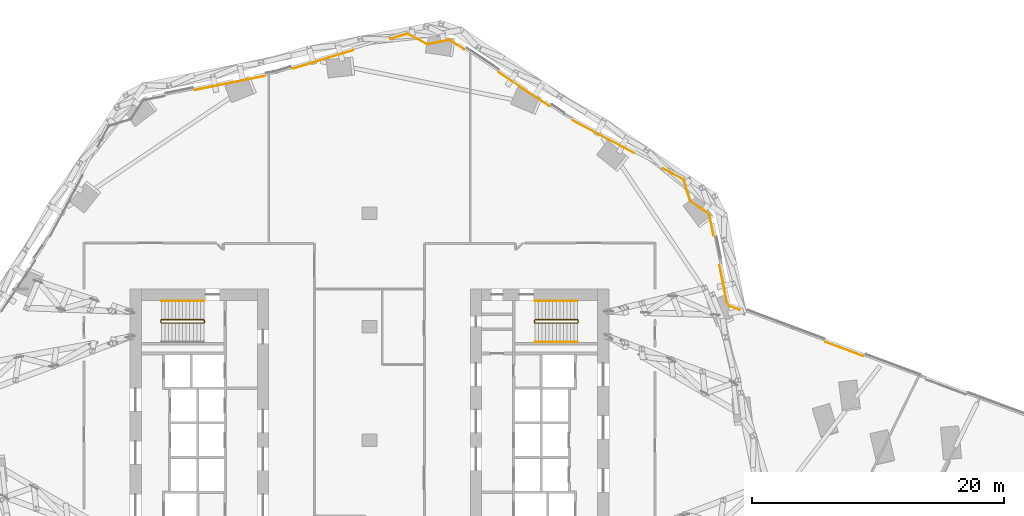
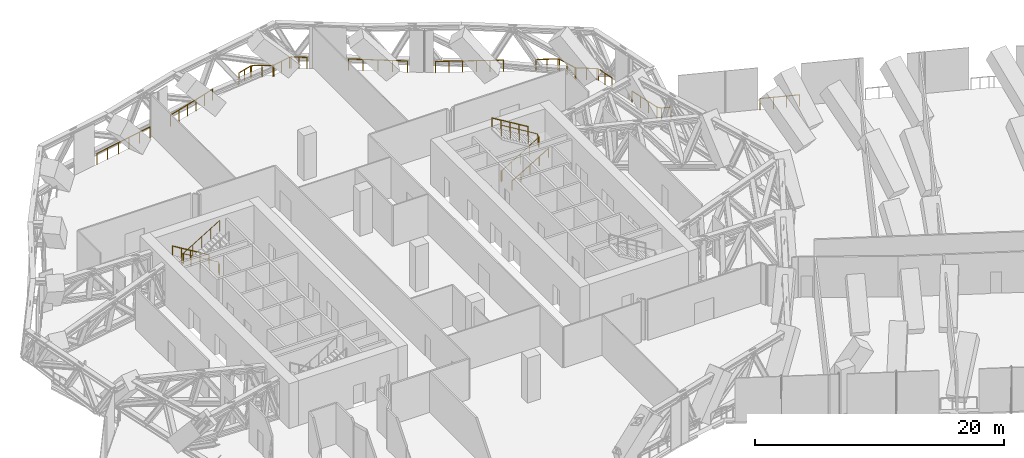
# One storey, part 34 of 34: 13 railings.
"""IFC4 building model written with IfcOpenShell, lengths in metres."""

from ifc_helpers import new_model, si_unit, direction, frame, origin, origin_2d, place, context, subcontext, project, spatial, circle, extrude, material, type_object, element, save


model = new_model("IFC4")

# Units and contexts
model_context = context("Model", 3, precision=1e-05, world=origin(), true_north=direction((0.0, 1.0)))
body_context = subcontext(model_context, "Body", "Model", "MODEL_VIEW")
ifc_project = project(units=[si_unit("LENGTHUNIT", "METRE"), si_unit("AREAUNIT", "SQUARE_METRE"), si_unit("VOLUMEUNIT", "CUBIC_METRE"), si_unit("PLANEANGLEUNIT", "RADIAN"), si_unit("MASSUNIT", "GRAM", prefix="KILO")], contexts=[model_context])

# Site, building, storey
site_placement = place(None, origin())
site = spatial("IfcSite", under=ifc_project, at=site_placement, CompositionType="ELEMENT")
building_placement = place(site_placement, origin())
building = spatial("IfcBuilding", under=site, at=building_placement, Name="Orlundy Tower", CompositionType="ELEMENT")
storey_placement = place(building_placement, frame((0.0, 0.0, 76.300048828125)))
storey = spatial("IfcBuildingStorey", under=building, at=storey_placement, Name="L18", CompositionType="ELEMENT", Elevation=76.300048828125)

# Railings
ifc_material_1 = material(Name="Steel balustrade", Category="steel")
railing_type_1 = type_object("IfcRailingType", Name="Stair Guard 1100", PredefinedType="GUARDRAIL", material=ifc_material_1)
railing_1_placement = place(storey_placement, frame((-13.090087890625, 9.5, 0.0)))
element("IfcRailing", 1, at=railing_1_placement, inside=storey, type_object=railing_type_1, Name="L18 ST-W1 stair guard 1", PredefinedType="GUARDRAIL", context=body_context, shape_type="SweptSolid", body=[
    extrude(circle(Radius=0.02392578125, at=origin_2d()), frame((0.0, 0.0, 1.076171875), z_axis=(0.0, -1.0, 0.0), x_axis=(1.0, 0.0, 0.0)), (0.0, 0.0, 1.0), 0.14990234375),
    extrude(circle(Radius=0.02392578125, at=origin_2d()), frame((0.0, -0.14990234375, 1.076171875), z_axis=(-0.186800498525, 0.749949060256, 0.634572281755), x_axis=(-0.970351222016, -0.241699205484, 0.0)), (0.0, 0.0, 1.0), 0.2666015625),
    extrude(circle(Radius=0.02392578125, at=origin_2d()), frame((-0.0498046875, 0.050048828125, 1.2451171875), z_axis=(-0.855836976705, 0.0, 0.517245656632), x_axis=(0.0, -1.0, 0.0)), (0.0, 0.0, 1.0), 3.926025390625),
    extrude(circle(Radius=0.02392578125, at=origin_2d()), frame((-3.409912109375, 0.050048828125, 3.27587890625), z_axis=(-0.707106781187, -0.707106781187, 0.0), x_axis=(0.707106781187, -0.707106781187, 0.0)), (0.0, 0.0, 1.0), 0.07080078125),
    extrude(circle(Radius=0.02392578125, at=origin_2d()), frame((-3.4599609375, 0.0, 3.27587890625), z_axis=(0.0, -1.0, 0.0), x_axis=(1.0, 0.0, 0.0)), (0.0, 0.0, 1.0), 0.14990234375),
    extrude(circle(Radius=0.02392578125, at=origin_2d()), frame((-3.4599609375, -0.14990234375, 3.27587890625), z_axis=(0.272897288611, -0.272897288611, 0.922525956132), x_axis=(0.707106781187, 0.707106781187, 0.0)), (0.0, 0.0, 1.0), 0.183349609375),
    extrude(circle(Radius=0.02392578125, at=origin_2d()), frame((-3.409912109375, -0.199951171875, 3.4453125), z_axis=(0.855836976705, 0.0, 0.517245656632), x_axis=(0.0, 1.0, 0.0)), (0.0, 0.0, 1.0), 3.926025390625),
    extrude(circle(Radius=0.02099609375, at=origin_2d()), origin(), (0.0, 0.0, 1.0), 1.052001953125),
    extrude(circle(Radius=0.02099609375, at=origin_2d()), frame((0.0, -0.14990234375, 0.0)), (0.0, 0.0, 1.0), 1.052001953125),
    extrude(circle(Radius=0.02099609375, at=origin_2d()), frame((-0.0498046875, 0.050048828125, 0.169189453125)), (0.0, 0.0, 1.0), 1.052001953125),
    extrude(circle(Radius=0.02099609375, at=origin_2d()), frame((-0.889892578125, 0.050048828125, 0.6767578125)), (0.0, 0.0, 1.0), 1.052001953125),
    extrude(circle(Radius=0.02099609375, at=origin_2d()), frame((-1.72998046875, 0.050048828125, 1.1845703125)), (0.0, 0.0, 1.0), 1.052001953125),
    extrude(circle(Radius=0.02099609375, at=origin_2d()), frame((-2.56982421875, 0.050048828125, 1.6923828125)), (0.0, 0.0, 1.0), 1.052001953125),
    extrude(circle(Radius=0.02099609375, at=origin_2d()), frame((-3.409912109375, 0.050048828125, 2.199951171875)), (0.0, 0.0, 1.0), 1.052001953125),
    extrude(circle(Radius=0.02099609375, at=origin_2d()), frame((-3.4599609375, 0.0, 2.199951171875)), (0.0, 0.0, 1.0), 1.052001953125),
    extrude(circle(Radius=0.02099609375, at=origin_2d()), frame((-3.4599609375, -0.14990234375, 2.199951171875)), (0.0, 0.0, 1.0), 1.052001953125),
    extrude(circle(Radius=0.02099609375, at=origin_2d()), frame((-3.409912109375, -0.199951171875, 2.369140625)), (0.0, 0.0, 1.0), 1.052001953125),
    extrude(circle(Radius=0.02099609375, at=origin_2d()), frame((-2.56982421875, -0.199951171875, 2.876953125)), (0.0, 0.0, 1.0), 1.052001953125),
    extrude(circle(Radius=0.02099609375, at=origin_2d()), frame((-1.72998046875, -0.199951171875, 3.384521484375)), (0.0, 0.0, 1.0), 1.052001953125),
    extrude(circle(Radius=0.02099609375, at=origin_2d()), frame((-0.889892578125, -0.199951171875, 3.89208984375)), (0.0, 0.0, 1.0), 1.052001953125),
    extrude(circle(Radius=0.02099609375, at=origin_2d()), frame((-0.0498046875, -0.199951171875, 4.39990234375)), (0.0, 0.0, 1.0), 1.052001953125),
])
railing_2_placement = place(storey_placement, frame((13.090087890625, 9.35009765625, 0.0)))
element("IfcRailing", 2, at=railing_2_placement, inside=storey, type_object=railing_type_1, Name="L18 ST-E2 stair guard 1", PredefinedType="GUARDRAIL", context=body_context, shape_type="SweptSolid", body=[
    extrude(circle(Radius=0.02392578125, at=origin_2d()), frame((0.0, 0.0, 1.076171875), z_axis=(0.0, 1.0, 0.0), x_axis=(-1.0, 0.0, 0.0)), (0.0, 0.0, 1.0), 0.14990234375),
    extrude(circle(Radius=0.02392578125, at=origin_2d()), frame((0.0, 0.14990234375, 1.076171875), z_axis=(0.186800498525, -0.749949060256, 0.634572281755), x_axis=(0.970351222016, 0.241699205484, 0.0)), (0.0, 0.0, 1.0), 0.2666015625),
    extrude(circle(Radius=0.02392578125, at=origin_2d()), frame((0.0498046875, -0.050048828125, 1.2451171875), z_axis=(0.855836976705, 0.0, 0.517245656632), x_axis=(0.0, 1.0, 0.0)), (0.0, 0.0, 1.0), 3.926025390625),
    extrude(circle(Radius=0.02392578125, at=origin_2d()), frame((3.409912109375, -0.050048828125, 3.27587890625), z_axis=(0.707106781187, 0.707106781187, 0.0), x_axis=(-0.707106781187, 0.707106781187, 0.0)), (0.0, 0.0, 1.0), 0.07080078125),
    extrude(circle(Radius=0.02392578125, at=origin_2d()), frame((3.4599609375, 0.0, 3.27587890625), z_axis=(0.0, 1.0, 0.0), x_axis=(-1.0, 0.0, 0.0)), (0.0, 0.0, 1.0), 0.14990234375),
    extrude(circle(Radius=0.02392578125, at=origin_2d()), frame((3.4599609375, 0.14990234375, 3.27587890625), z_axis=(-0.272897288611, 0.272897288611, 0.922525956132), x_axis=(-0.707106781187, -0.707106781187, 0.0)), (0.0, 0.0, 1.0), 0.183349609375),
    extrude(circle(Radius=0.02392578125, at=origin_2d()), frame((3.409912109375, 0.199951171875, 3.4453125), z_axis=(-0.855836976705, 0.0, 0.517245656632), x_axis=(0.0, -1.0, 0.0)), (0.0, 0.0, 1.0), 3.926025390625),
    extrude(circle(Radius=0.02099609375, at=origin_2d()), origin(), (0.0, 0.0, 1.0), 1.052001953125),
    extrude(circle(Radius=0.02099609375, at=origin_2d()), frame((0.0, 0.14990234375, 0.0)), (0.0, 0.0, 1.0), 1.052001953125),
    extrude(circle(Radius=0.02099609375, at=origin_2d()), frame((0.0498046875, -0.050048828125, 0.169189453125)), (0.0, 0.0, 1.0), 1.052001953125),
    extrude(circle(Radius=0.02099609375, at=origin_2d()), frame((0.889892578125, -0.050048828125, 0.6767578125)), (0.0, 0.0, 1.0), 1.052001953125),
    extrude(circle(Radius=0.02099609375, at=origin_2d()), frame((1.72998046875, -0.050048828125, 1.1845703125)), (0.0, 0.0, 1.0), 1.052001953125),
    extrude(circle(Radius=0.02099609375, at=origin_2d()), frame((2.56982421875, -0.050048828125, 1.6923828125)), (0.0, 0.0, 1.0), 1.052001953125),
    extrude(circle(Radius=0.02099609375, at=origin_2d()), frame((3.409912109375, -0.050048828125, 2.199951171875)), (0.0, 0.0, 1.0), 1.052001953125),
    extrude(circle(Radius=0.02099609375, at=origin_2d()), frame((3.4599609375, 0.0, 2.199951171875)), (0.0, 0.0, 1.0), 1.052001953125),
    extrude(circle(Radius=0.02099609375, at=origin_2d()), frame((3.4599609375, 0.14990234375, 2.199951171875)), (0.0, 0.0, 1.0), 1.052001953125),
    extrude(circle(Radius=0.02099609375, at=origin_2d()), frame((3.409912109375, 0.199951171875, 2.369140625)), (0.0, 0.0, 1.0), 1.052001953125),
    extrude(circle(Radius=0.02099609375, at=origin_2d()), frame((2.56982421875, 0.199951171875, 2.876953125)), (0.0, 0.0, 1.0), 1.052001953125),
    extrude(circle(Radius=0.02099609375, at=origin_2d()), frame((1.72998046875, 0.199951171875, 3.384521484375)), (0.0, 0.0, 1.0), 1.052001953125),
    extrude(circle(Radius=0.02099609375, at=origin_2d()), frame((0.889892578125, 0.199951171875, 3.89208984375)), (0.0, 0.0, 1.0), 1.052001953125),
    extrude(circle(Radius=0.02099609375, at=origin_2d()), frame((0.0498046875, 0.199951171875, 4.39990234375)), (0.0, 0.0, 1.0), 1.052001953125),
])
ifc_material_2 = material(Name="Steel handrail", Category="steel")
railing_type_2 = type_object("IfcRailingType", Name="Stair Handrail 900", PredefinedType="HANDRAIL", material=ifc_material_2)
railing_3_placement = place(storey_placement, frame((-13.139892578125, 11.050048828125, 0.169189453125)))
element("IfcRailing", 3, at=railing_3_placement, inside=storey, type_object=railing_type_2, Name="L18 ST-W1 stair handrail 1", PredefinedType="HANDRAIL", context=body_context, shape_type="SweptSolid", body=[
    extrude(circle(Radius=0.02392578125, at=origin_2d()), frame((0.0, 0.0, 0.8759765625), z_axis=(-0.855836976705, 0.0, 0.517245656632), x_axis=(0.0, -1.0, 0.0)), (0.0, 0.0, 1.0), 3.926025390625),
    extrude(circle(Radius=0.02099609375, at=origin_2d()), origin(), (0.0, 0.0, 1.0), 0.851806640625),
    extrude(circle(Radius=0.02099609375, at=origin_2d()), frame((-0.840087890625, 0.0, 0.5078125)), (0.0, 0.0, 1.0), 0.851806640625),
    extrude(circle(Radius=0.02099609375, at=origin_2d()), frame((-1.68017578125, 0.0, 1.015380859375)), (0.0, 0.0, 1.0), 0.851806640625),
    extrude(circle(Radius=0.02099609375, at=origin_2d()), frame((-2.52001953125, 0.0, 1.52294921875)), (0.0, 0.0, 1.0), 0.851806640625),
    extrude(circle(Radius=0.02099609375, at=origin_2d()), frame((-3.360107421875, 0.0, 2.03076171875)), (0.0, 0.0, 1.0), 0.851806640625),
])
railing_4_placement = place(storey_placement, frame((13.139892578125, 7.800048828125, 0.169189453125)))
element("IfcRailing", 4, at=railing_4_placement, inside=storey, type_object=railing_type_2, Name="L18 ST-E2 stair handrail 1", PredefinedType="HANDRAIL", context=body_context, shape_type="SweptSolid", body=[
    extrude(circle(Radius=0.02392578125, at=origin_2d()), frame((0.0, 0.0, 0.8759765625), z_axis=(0.855836976705, 0.0, 0.517245656632), x_axis=(0.0, 1.0, 0.0)), (0.0, 0.0, 1.0), 3.926025390625),
    extrude(circle(Radius=0.02099609375, at=origin_2d()), origin(), (0.0, 0.0, 1.0), 0.851806640625),
    extrude(circle(Radius=0.02099609375, at=origin_2d()), frame((0.840087890625, 0.0, 0.5078125)), (0.0, 0.0, 1.0), 0.851806640625),
    extrude(circle(Radius=0.02099609375, at=origin_2d()), frame((1.68017578125, 0.0, 1.015380859375)), (0.0, 0.0, 1.0), 0.851806640625),
    extrude(circle(Radius=0.02099609375, at=origin_2d()), frame((2.52001953125, 0.0, 1.52294921875)), (0.0, 0.0, 1.0), 0.851806640625),
    extrude(circle(Radius=0.02099609375, at=origin_2d()), frame((3.360107421875, 0.0, 2.03076171875)), (0.0, 0.0, 1.0), 0.851806640625),
])
railing_5_placement = place(storey_placement, frame((16.5, 11.050048828125, 2.369140625)))
element("IfcRailing", 5, at=railing_5_placement, inside=storey, type_object=railing_type_2, Name="L18 ST-E2 stair handrail 2", PredefinedType="HANDRAIL", context=body_context, shape_type="SweptSolid", body=[
    extrude(circle(Radius=0.02392578125, at=origin_2d()), frame((0.0, 0.0, 0.8759765625), z_axis=(-0.855836976705, 0.0, 0.517245656632), x_axis=(0.0, -1.0, 0.0)), (0.0, 0.0, 1.0), 3.926025390625),
    extrude(circle(Radius=0.02099609375, at=origin_2d()), origin(), (0.0, 0.0, 1.0), 0.851806640625),
    extrude(circle(Radius=0.02099609375, at=origin_2d()), frame((-0.840087890625, 0.0, 0.5078125)), (0.0, 0.0, 1.0), 0.851806640625),
    extrude(circle(Radius=0.02099609375, at=origin_2d()), frame((-1.68017578125, 0.0, 1.015380859375)), (0.0, 0.0, 1.0), 0.851806640625),
    extrude(circle(Radius=0.02099609375, at=origin_2d()), frame((-2.52001953125, 0.0, 1.52294921875)), (0.0, 0.0, 1.0), 0.851806640625),
    extrude(circle(Radius=0.02099609375, at=origin_2d()), frame((-3.360107421875, 0.0, 2.03076171875)), (0.0, 0.0, 1.0), 0.851806640625),
])
ifc_material_3 = material(Name="Stainless steel bronze finish", Category="steel")
railing_type_3 = type_object("IfcRailingType", Name="TG1 terrace guard", PredefinedType="GUARDRAIL", material=ifc_material_3)
railing_6_placement = place(storey_placement, frame((23.280029296875, 21.5537109375, 0.0)))
element("IfcRailing", 6, at=railing_6_placement, inside=storey, type_object=railing_type_3, Name="Guard TG-L18-E02", PredefinedType="GUARDRAIL", context=body_context, shape_type="SweptSolid", body=[
    extrude(circle(Radius=0.02490234375, at=origin_2d()), frame((0.0, 0.0, 1.09521484375), z_axis=(0.883020339079, -0.469334721466, 0.0), x_axis=(0.469334721466, 0.883020339079, 0.0)), (0.0, 0.0, 1.0), 1.7900390625),
    extrude(circle(Radius=0.02490234375, at=origin_2d()), frame((1.58056640625, -0.840087890625, 1.09521484375), z_axis=(0.651766743288, -0.758419483099, 0.0), x_axis=(0.758419483099, 0.651766743288, 0.0)), (0.0, 0.0, 1.0), 0.12353515625),
    extrude(circle(Radius=0.02490234375, at=origin_2d()), frame((1.6611328125, -0.933837890625, 1.09521484375), z_axis=(0.292233093235, -0.956347122764, 0.0), x_axis=(0.956347122764, 0.292233093235, 0.0)), (0.0, 0.0, 1.0), 1.704345703125),
    extrude(circle(Radius=0.02490234375, at=origin_2d()), frame((2.1591796875, -2.563720703125, 1.09521484375), z_axis=(0.59710103596, -0.802166038209, 0.0), x_axis=(0.802166038209, 0.59710103596, 0.0)), (0.0, 0.0, 1.0), 0.0810546875),
    extrude(circle(Radius=0.02490234375, at=origin_2d()), frame((2.20751953125, -2.628662109375, 1.09521484375), z_axis=(0.832292557514, -0.554336629411, 0.0), x_axis=(0.554336629411, 0.832292557514, 0.0)), (0.0, 0.0, 1.0), 1.704833984375),
    extrude(circle(Radius=0.02490234375, at=origin_2d()), frame((3.62646484375, -3.57373046875, 1.09521484375), z_axis=(0.539558356667, -0.84194820491, 0.0), x_axis=(0.84194820491, 0.539558356667, 0.0)), (0.0, 0.0, 1.0), 0.12353515625),
    extrude(circle(Radius=0.02490234375, at=origin_2d()), frame((3.693115234375, -3.677734375, 1.09521484375), z_axis=(0.196428547686, -0.98051814142, 0.0), x_axis=(0.98051814142, 0.196428547686, 0.0)), (0.0, 0.0, 1.0), 1.653076171875),
    extrude(circle(Radius=0.02001953125, at=origin_2d()), origin(), (0.0, 0.0, 1.0), 1.070068359375),
    extrude(circle(Radius=0.02001953125, at=origin_2d()), frame((0.790283203125, -0.419921875, 0.0)), (0.0, 0.0, 1.0), 1.070068359375),
    extrude(circle(Radius=0.02001953125, at=origin_2d()), frame((1.58056640625, -0.840087890625, 0.0)), (0.0, 0.0, 1.0), 1.070068359375),
    extrude(circle(Radius=0.02001953125, at=origin_2d()), frame((1.6611328125, -0.933837890625, 0.0)), (0.0, 0.0, 1.0), 1.070068359375),
    extrude(circle(Radius=0.02001953125, at=origin_2d()), frame((1.91015625, -1.748779296875, 0.0)), (0.0, 0.0, 1.0), 1.070068359375),
    extrude(circle(Radius=0.02001953125, at=origin_2d()), frame((2.1591796875, -2.563720703125, 0.0)), (0.0, 0.0, 1.0), 1.070068359375),
    extrude(circle(Radius=0.02001953125, at=origin_2d()), frame((2.20751953125, -2.628662109375, 0.0)), (0.0, 0.0, 1.0), 1.070068359375),
    extrude(circle(Radius=0.02001953125, at=origin_2d()), frame((2.9169921875, -3.10107421875, 0.0)), (0.0, 0.0, 1.0), 1.070068359375),
    extrude(circle(Radius=0.02001953125, at=origin_2d()), frame((3.62646484375, -3.57373046875, 0.0)), (0.0, 0.0, 1.0), 1.070068359375),
    extrude(circle(Radius=0.02001953125, at=origin_2d()), frame((3.693115234375, -3.677734375, 0.0)), (0.0, 0.0, 1.0), 1.070068359375),
    extrude(circle(Radius=0.02001953125, at=origin_2d()), frame((3.85546875, -4.48828125, 0.0)), (0.0, 0.0, 1.0), 1.070068359375),
    extrude(circle(Radius=0.02001953125, at=origin_2d()), frame((4.017822265625, -5.298583984375, 0.0)), (0.0, 0.0, 1.0), 1.070068359375),
])
railing_7_placement = place(storey_placement, frame((1.68603515625, 31.84423828125, 0.0)))
element("IfcRailing", 7, at=railing_7_placement, inside=storey, type_object=railing_type_3, Name="Guard TG-L18-E09", PredefinedType="GUARDRAIL", context=body_context, shape_type="SweptSolid", body=[
    extrude(circle(Radius=0.02490234375, at=origin_2d()), frame((0.0, 0.0, 1.09521484375), z_axis=(0.956291929846, 0.292413653769, 0.0), x_axis=(-0.292413653769, 0.956291929846, 0.0)), (0.0, 0.0, 1.0), 1.30322265625),
    extrude(circle(Radius=0.02490234375, at=origin_2d()), frame((1.246337890625, 0.381103515625, 1.09521484375), z_axis=(0.997180871208, -0.075035392289, 0.0), x_axis=(0.075035392289, 0.997180871208, 0.0)), (0.0, 0.0, 1.0), 0.12353515625),
    extrude(circle(Radius=0.02490234375, at=origin_2d()), frame((1.36962890625, 0.371826171875, 1.09521484375), z_axis=(0.883006282948, -0.469361166134, 0.0), x_axis=(0.469361166134, 0.883006282948, 0.0)), (0.0, 0.0, 1.0), 1.70458984375),
    extrude(circle(Radius=0.02490234375, at=origin_2d()), frame((2.874755859375, -0.42822265625, 1.09521484375), z_axis=(0.989397530327, -0.145232665002, 0.0), x_axis=(0.145232665002, 0.989397530327, 0.0)), (0.0, 0.0, 1.0), 0.080810546875),
    extrude(circle(Radius=0.02490234375, at=origin_2d()), frame((2.95458984375, -0.43994140625, 1.09521484375), z_axis=(0.980514535738, 0.196446545419, 0.0), x_axis=(-0.196446545419, 0.980514535738, 0.0)), (0.0, 0.0, 1.0), 1.705078125),
    extrude(circle(Radius=0.02490234375, at=origin_2d()), frame((4.62646484375, -0.10498046875, 1.09521484375), z_axis=(0.97701576141, -0.213167075217, 0.0), x_axis=(0.213167075217, 0.97701576141, 0.0)), (0.0, 0.0, 1.0), 0.123779296875),
    extrude(circle(Radius=0.02490234375, at=origin_2d()), frame((4.747314453125, -0.13134765625, 1.09521484375), z_axis=(0.832198105984, -0.554478414726, 0.0), x_axis=(0.554478414726, 0.832198105984, 0.0)), (0.0, 0.0, 1.0), 1.270263671875),
    extrude(circle(Radius=0.02001953125, at=origin_2d()), origin(), (0.0, 0.0, 1.0), 1.070068359375),
    extrude(circle(Radius=0.02001953125, at=origin_2d()), frame((0.623046875, 0.1904296875, 0.0)), (0.0, 0.0, 1.0), 1.070068359375),
    extrude(circle(Radius=0.02001953125, at=origin_2d()), frame((1.246337890625, 0.381103515625, 0.0)), (0.0, 0.0, 1.0), 1.070068359375),
    extrude(circle(Radius=0.02001953125, at=origin_2d()), frame((1.36962890625, 0.371826171875, 0.0)), (0.0, 0.0, 1.0), 1.070068359375),
    extrude(circle(Radius=0.02001953125, at=origin_2d()), frame((2.1220703125, -0.0283203125, 0.0)), (0.0, 0.0, 1.0), 1.070068359375),
    extrude(circle(Radius=0.02001953125, at=origin_2d()), frame((2.874755859375, -0.42822265625, 0.0)), (0.0, 0.0, 1.0), 1.070068359375),
    extrude(circle(Radius=0.02001953125, at=origin_2d()), frame((2.95458984375, -0.43994140625, 0.0)), (0.0, 0.0, 1.0), 1.070068359375),
    extrude(circle(Radius=0.02001953125, at=origin_2d()), frame((3.79052734375, -0.2724609375, 0.0)), (0.0, 0.0, 1.0), 1.070068359375),
    extrude(circle(Radius=0.02001953125, at=origin_2d()), frame((4.62646484375, -0.10498046875, 0.0)), (0.0, 0.0, 1.0), 1.070068359375),
    extrude(circle(Radius=0.02001953125, at=origin_2d()), frame((4.747314453125, -0.13134765625, 0.0)), (0.0, 0.0, 1.0), 1.070068359375),
    extrude(circle(Radius=0.02001953125, at=origin_2d()), frame((5.27587890625, -0.4833984375, 0.0)), (0.0, 0.0, 1.0), 1.070068359375),
    extrude(circle(Radius=0.02001953125, at=origin_2d()), frame((5.804443359375, -0.835693359375, 0.0)), (0.0, 0.0, 1.0), 1.070068359375),
])
railing_8_placement = place(storey_placement, frame((-13.8427734375, 27.78125, 0.0)))
element("IfcRailing", 8, at=railing_8_placement, inside=storey, type_object=railing_type_3, Name="Guard TG-L18-E012", PredefinedType="GUARDRAIL", context=body_context, shape_type="SweptSolid", body=[
    extrude(circle(Radius=0.02490234375, at=origin_2d()), frame((0.0, 0.0, 1.09521484375), z_axis=(0.980504042525, 0.196498912446, 0.0), x_axis=(-0.196498912446, 0.980504042525, 0.0)), (0.0, 0.0, 1.0), 5.64208984375),
    extrude(circle(Radius=0.02001953125, at=origin_2d()), origin(), (0.0, 0.0, 1.0), 1.070068359375),
    extrude(circle(Radius=0.02001953125, at=origin_2d()), frame((1.1064453125, 0.2216796875, 0.0)), (0.0, 0.0, 1.0), 1.070068359375),
    extrude(circle(Radius=0.02001953125, at=origin_2d()), frame((2.212890625, 0.443359375, 0.0)), (0.0, 0.0, 1.0), 1.070068359375),
    extrude(circle(Radius=0.02001953125, at=origin_2d()), frame((3.319091796875, 0.665283203125, 0.0)), (0.0, 0.0, 1.0), 1.070068359375),
    extrude(circle(Radius=0.02001953125, at=origin_2d()), frame((4.425537109375, 0.886962890625, 0.0)), (0.0, 0.0, 1.0), 1.070068359375),
    extrude(circle(Radius=0.02001953125, at=origin_2d()), frame((5.531982421875, 1.108642578125, 0.0)), (0.0, 0.0, 1.0), 1.070068359375),
])
railing_9_placement = place(storey_placement, frame((16.138916015625, 25.35009765625, 0.0)))
element("IfcRailing", 9, at=railing_9_placement, inside=storey, type_object=railing_type_3, Name="Guard TG-L18-E014", PredefinedType="GUARDRAIL", context=body_context, shape_type="SweptSolid", body=[
    extrude(circle(Radius=0.02490234375, at=origin_2d()), frame((0.0, 0.0, 1.09521484375), z_axis=(0.882997960351, -0.469376823049, 0.0), x_axis=(0.469376823049, 0.882997960351, 0.0)), (0.0, 0.0, 1.0), 5.504150390625),
    extrude(circle(Radius=0.02001953125, at=origin_2d()), origin(), (0.0, 0.0, 1.0), 1.070068359375),
    extrude(circle(Radius=0.02001953125, at=origin_2d()), frame((0.971923828125, -0.5166015625, 0.0)), (0.0, 0.0, 1.0), 1.070068359375),
    extrude(circle(Radius=0.02001953125, at=origin_2d()), frame((1.944091796875, -1.033447265625, 0.0)), (0.0, 0.0, 1.0), 1.070068359375),
    extrude(circle(Radius=0.02001953125, at=origin_2d()), frame((2.916015625, -1.550048828125, 0.0)), (0.0, 0.0, 1.0), 1.070068359375),
    extrude(circle(Radius=0.02001953125, at=origin_2d()), frame((3.88818359375, -2.06689453125, 0.0)), (0.0, 0.0, 1.0), 1.070068359375),
    extrude(circle(Radius=0.02001953125, at=origin_2d()), frame((4.860107421875, -2.58349609375, 0.0)), (0.0, 0.0, 1.0), 1.070068359375),
])
railing_10_placement = place(storey_placement, frame((-6.062255859375, 29.47509765625, 0.0)))
element("IfcRailing", 10, at=railing_10_placement, inside=storey, type_object=railing_type_3, Name="Guard TG-L18-E017", PredefinedType="GUARDRAIL", context=body_context, shape_type="SweptSolid", body=[
    extrude(circle(Radius=0.02490234375, at=origin_2d()), frame((0.0, 0.0, 1.09521484375), z_axis=(0.956288047337, 0.292426350592, 0.0), x_axis=(-0.292426350592, 0.956288047337, 0.0)), (0.0, 0.0, 1.0), 4.984130859375),
    extrude(circle(Radius=0.02001953125, at=origin_2d()), origin(), (0.0, 0.0, 1.0), 1.070068359375),
    extrude(circle(Radius=0.02001953125, at=origin_2d()), frame((0.953369140625, 0.29150390625, 0.0)), (0.0, 0.0, 1.0), 1.070068359375),
    extrude(circle(Radius=0.02001953125, at=origin_2d()), frame((1.906494140625, 0.5830078125, 0.0)), (0.0, 0.0, 1.0), 1.070068359375),
    extrude(circle(Radius=0.02001953125, at=origin_2d()), frame((2.85986328125, 0.87451171875, 0.0)), (0.0, 0.0, 1.0), 1.070068359375),
    extrude(circle(Radius=0.02001953125, at=origin_2d()), frame((3.81298828125, 1.166015625, 0.0)), (0.0, 0.0, 1.0), 1.070068359375),
    extrude(circle(Radius=0.02001953125, at=origin_2d()), frame((4.766357421875, 1.45751953125, 0.0)), (0.0, 0.0, 1.0), 1.070068359375),
])
railing_11_placement = place(storey_placement, frame((10.266845703125, 29.1591796875, 0.0)))
element("IfcRailing", 11, at=railing_11_placement, inside=storey, type_object=railing_type_3, Name="Guard TG-L18-E019", PredefinedType="GUARDRAIL", context=body_context, shape_type="SweptSolid", body=[
    extrude(circle(Radius=0.02490234375, at=origin_2d()), frame((0.0, 0.0, 1.09521484375), z_axis=(0.832270976391, -0.554369030392, 0.0), x_axis=(0.554369030392, 0.832270976391, 0.0)), (0.0, 0.0, 1.0), 4.76416015625),
    extrude(circle(Radius=0.02001953125, at=origin_2d()), origin(), (0.0, 0.0, 1.0), 1.070068359375),
    extrude(circle(Radius=0.02001953125, at=origin_2d()), frame((0.9912109375, -0.66015625, 0.0)), (0.0, 0.0, 1.0), 1.070068359375),
    extrude(circle(Radius=0.02001953125, at=origin_2d()), frame((1.982421875, -1.320556640625, 0.0)), (0.0, 0.0, 1.0), 1.070068359375),
    extrude(circle(Radius=0.02001953125, at=origin_2d()), frame((2.973876953125, -1.98095703125, 0.0)), (0.0, 0.0, 1.0), 1.070068359375),
    extrude(circle(Radius=0.02001953125, at=origin_2d()), frame((3.965087890625, -2.64111328125, 0.0)), (0.0, 0.0, 1.0), 1.070068359375),
])
railing_12_placement = place(storey_placement, frame((27.781494140625, 13.8427734375, 0.0)))
element("IfcRailing", 12, at=railing_12_placement, inside=storey, type_object=railing_type_3, Name="Guard TG-L18-E022", PredefinedType="GUARDRAIL", context=body_context, shape_type="SweptSolid", body=[
    extrude(circle(Radius=0.02490234375, at=origin_2d()), frame((0.0, 0.0, 1.09521484375), z_axis=(0.196507643868, -0.980502292655, 0.0), x_axis=(0.980502292655, 0.196507643868, 0.0)), (0.0, 0.0, 1.0), 2.997802734375),
    extrude(circle(Radius=0.02490234375, at=origin_2d()), frame((0.589111328125, -2.939453125, 1.09521484375), z_axis=(0.6479402544, -0.761691162301, 0.0), x_axis=(0.761691162301, 0.6479402544, 0.0)), (0.0, 0.0, 1.0), 0.388427734375),
    extrude(circle(Radius=0.02490234375, at=origin_2d()), frame((0.8408203125, -3.2353515625, 1.09521484375), z_axis=(0.936656474757, -0.350249408701, 0.0), x_axis=(0.350249408701, 0.936656474757, 0.0)), (0.0, 0.0, 1.0), 0.796142578125),
    extrude(circle(Radius=0.02001953125, at=origin_2d()), origin(), (0.0, 0.0, 1.0), 1.070068359375),
    extrude(circle(Radius=0.02001953125, at=origin_2d()), frame((0.1962890625, -0.979736328125, 0.0)), (0.0, 0.0, 1.0), 1.070068359375),
    extrude(circle(Radius=0.02001953125, at=origin_2d()), frame((0.392822265625, -1.959716796875, 0.0)), (0.0, 0.0, 1.0), 1.070068359375),
    extrude(circle(Radius=0.02001953125, at=origin_2d()), frame((0.589111328125, -2.939453125, 0.0)), (0.0, 0.0, 1.0), 1.070068359375),
    extrude(circle(Radius=0.02001953125, at=origin_2d()), frame((0.8408203125, -3.2353515625, 0.0)), (0.0, 0.0, 1.0), 1.070068359375),
    extrude(circle(Radius=0.02001953125, at=origin_2d()), frame((1.58642578125, -3.51416015625, 0.0)), (0.0, 0.0, 1.0), 1.070068359375),
])
railing_13_placement = place(storey_placement, frame((36.163818359375, 7.7880859375, 0.0)))
element("IfcRailing", 13, at=railing_13_placement, inside=storey, type_object=railing_type_3, Name="Guard TG-L18-E028", PredefinedType="GUARDRAIL", context=body_context, shape_type="SweptSolid", body=[
    extrude(circle(Radius=0.02490234375, at=origin_2d()), frame((0.0, 0.0, 1.09521484375), z_axis=(0.936681915094, -0.350181367202, 0.0), x_axis=(0.350181367202, 0.936681915094, 0.0)), (0.0, 0.0, 1.0), 3.209716796875),
    extrude(circle(Radius=0.02001953125, at=origin_2d()), origin(), (0.0, 0.0, 1.0), 1.070068359375),
    extrude(circle(Radius=0.02001953125, at=origin_2d()), frame((1.002197265625, -0.374755859375, 0.0)), (0.0, 0.0, 1.0), 1.070068359375),
    extrude(circle(Radius=0.02001953125, at=origin_2d()), frame((2.00439453125, -0.749267578125, 0.0)), (0.0, 0.0, 1.0), 1.070068359375),
    extrude(circle(Radius=0.02001953125, at=origin_2d()), frame((3.006591796875, -1.1240234375, 0.0)), (0.0, 0.0, 1.0), 1.070068359375),
])

save(model, "model.ifc")
